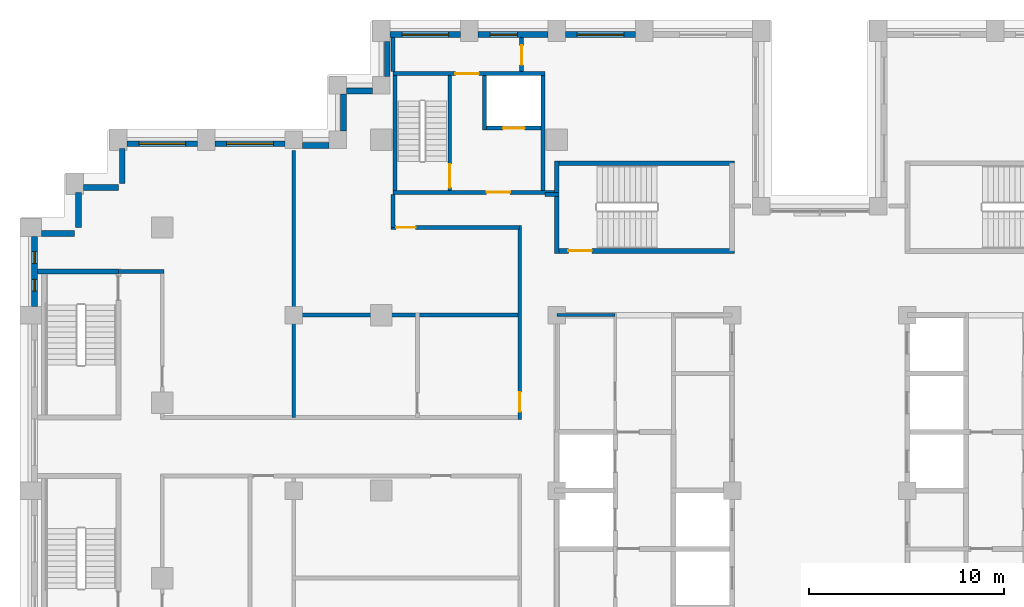
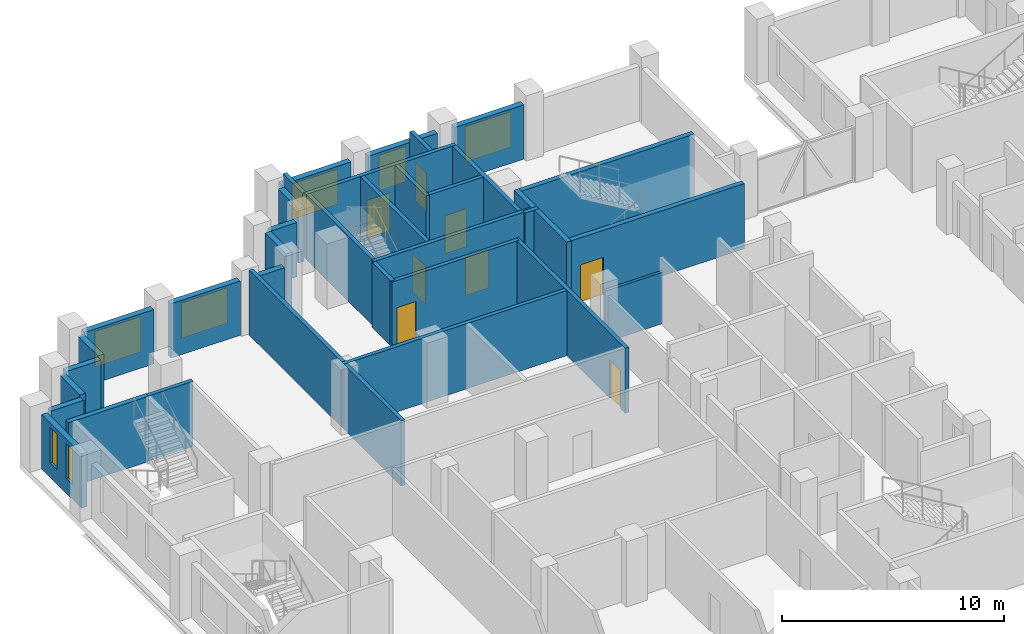
# One storey, part 10 of 16: 35 walls, 8 doors, 7 windows, 15 openings.
"""IFC4 building model written with IfcOpenShell, lengths in metres."""

from ifc_helpers import new_model, si_unit, direction, frame, frame_2d, origin, place, context, subcontext, project, spatial, rectangle, extrude, material, layer, layer_set, type_object, element, fill, save


model = new_model("IFC4")

# Units and contexts
model_context = context("Model", 3, precision=1e-05, world=origin(), true_north=direction((0.0, 1.0)))
body_context = subcontext(model_context, "Body", "Model", "MODEL_VIEW")
ifc_project = project(units=[si_unit("LENGTHUNIT", "METRE"), si_unit("AREAUNIT", "SQUARE_METRE"), si_unit("VOLUMEUNIT", "CUBIC_METRE"), si_unit("PLANEANGLEUNIT", "RADIAN"), si_unit("MASSUNIT", "GRAM", prefix="KILO")], contexts=[model_context])

# Site, building, storey
site_placement = place(None, origin())
site = spatial("IfcSite", under=ifc_project, at=site_placement, CompositionType="ELEMENT")
building_placement = place(site_placement, origin())
building = spatial("IfcBuilding", under=site, at=building_placement, Name="Corbelhall Arena Tower", CompositionType="ELEMENT")
storey_placement = place(building_placement, frame((0.0, 0.0, 174.0)))
storey = spatial("IfcBuildingStorey", under=building, at=storey_placement, Name="L35", CompositionType="ELEMENT", Elevation=174.0)

# Walls
ifc_material_1 = material(Name="Precast concrete C40/50 with granite facing", Category="masonry")
ifc_layer_1 = layer(ifc_material_1, 0.300048828125)
ifc_layer_set_1 = layer_set([ifc_layer_1], Name="EV-IW1 Infill panel 300")
wall_type_1 = type_object("IfcWallType", Name="EV-IW1 Infill panel 300", PredefinedType="SOLIDWALL", material=ifc_layer_set_1)
for number, where, z_axis, x_axis, name in (
    (1, (-35.800048828125, 17.550048828125, 0.0), (0.0, 0.0, 1.0), (0.0, -1.0, 0.0), "Infill panel IW1"),
    (2, (-37.800048828125, 15.550048828125, 0.0), (0.0, 0.0, 1.0), (1.0, 0.0, 0.0), "Infill panel IW1"),
    (3, (-38.050048828125, 15.300048828125, 0.0), (0.0, 0.0, 1.0), (0.0, -1.0, 0.0), "Infill panel IW1"),
):
    element("IfcWall", number, at=place(storey_placement, frame(where, z_axis=z_axis, x_axis=x_axis)), inside=storey, type_object=wall_type_1, Name=name, PredefinedType="SOLIDWALL", context=body_context, shape_type="SweptSolid", body=[
        extrude(rectangle(XDim=1.800048828125, YDim=0.300048828125, at=frame_2d((0.89990234375, 0.0))), origin(), (0.0, 0.0, 1.0), 2.989990234375),
    ])
wall_1_placement = place(storey_placement, frame((-39.949951171875, 13.199951171875, 0.0), z_axis=(0.0, 0.0, 1.0), x_axis=(1.0, 0.0, 0.0)))
element("IfcWall", 4, at=wall_1_placement, inside=storey, type_object=wall_type_1, Name="Infill panel IW1", PredefinedType="SOLIDWALL", context=body_context, shape_type="SweptSolid", body=[
    extrude(rectangle(XDim=1.699951171875, YDim=0.300048828125, at=frame_2d((0.85009765625, 0.0))), origin(), (0.0, 0.0, 1.0), 2.989990234375),
])
wall_2_placement = place(storey_placement, frame((-22.199951171875, 23.050048828125, 0.0), z_axis=(0.0, 0.0, 1.0), x_axis=(0.0, -1.0, 0.0)))
element("IfcWall", 5, at=wall_2_placement, inside=storey, type_object=wall_type_1, Name="Infill panel IW1", PredefinedType="SOLIDWALL", context=body_context, shape_type="SweptSolid", body=[
    extrude(rectangle(XDim=1.800048828125, YDim=0.300048828125, at=frame_2d((0.89990234375, 0.0))), origin(), (0.0, 0.0, 1.0), 2.989990234375),
])
wall_3_placement = place(storey_placement, frame((-22.949951171875, 20.5, 0.0), z_axis=(0.0, 0.0, 1.0), x_axis=(-1.0, 0.0, 0.0)))
element("IfcWall", 6, at=wall_3_placement, inside=storey, type_object=wall_type_1, Name="Infill panel IW1", PredefinedType="SOLIDWALL", context=body_context, shape_type="SweptSolid", body=[
    extrude(rectangle(XDim=1.35009765625, YDim=0.300048828125, at=frame_2d((0.675048828125, 0.0))), origin(), (0.0, 0.0, 1.0), 2.989990234375),
])
wall_4_placement = place(storey_placement, frame((-24.449951171875, 20.35009765625, 0.0), z_axis=(0.0, 0.0, 1.0), x_axis=(0.0, -1.0, 0.0)))
element("IfcWall", 7, at=wall_4_placement, inside=storey, type_object=wall_type_1, Name="Infill panel IW1", PredefinedType="SOLIDWALL", context=body_context, shape_type="SweptSolid", body=[
    extrude(rectangle(XDim=1.900146484375, YDim=0.300048828125, at=frame_2d((0.9501953125, 0.0))), origin(), (0.0, 0.0, 1.0), 2.989990234375),
])
wall_5_placement = place(storey_placement, frame((-25.199951171875, 17.699951171875, 0.0), z_axis=(0.0, 0.0, 1.0), x_axis=(-1.0, 0.0, 0.0)))
element("IfcWall", 8, at=wall_5_placement, inside=storey, type_object=wall_type_1, Name="Infill panel IW1", PredefinedType="SOLIDWALL", context=body_context, shape_type="SweptSolid", body=[
    extrude(rectangle(XDim=1.35009765625, YDim=0.300048828125, at=frame_2d((0.675048828125, 0.0))), origin(), (0.0, 0.0, 1.0), 2.989990234375),
])

# Wall, opening, window
wall_6_placement = place(storey_placement, frame((-27.449951171875, 17.800048828125, 0.0), z_axis=(0.0, 0.0, 1.0), x_axis=(-1.0, 0.0, 0.0)))
wall_6 = element("IfcWall", 9, at=wall_6_placement, inside=storey, type_object=wall_type_1, Name="Infill panel IW1", PredefinedType="SOLIDWALL", context=body_context, shape_type="SweptSolid", body=[
    extrude(rectangle(XDim=3.60009765625, YDim=0.300048828125, at=frame_2d((1.800048828125, 0.0))), origin(), (0.0, 0.0, 1.0), 2.989990234375),
])
opening_1_placement = place(wall_6_placement, frame((0.60009765625, 0.0, 0.800048828125)))
opening_1 = element("IfcOpeningElement", 10, at=opening_1_placement, cuts=wall_6, Name="Opening WN1", PredefinedType="OPENING", context=body_context, shape_type="SweptSolid", body=[
    extrude(rectangle(XDim=2.39990234375, YDim=1.949951171875, at=frame_2d((1.199951171875, 0.97509765625))), frame((0.0, 0.14990234375, 0.0), z_axis=(0.0, -1.0, 0.0), x_axis=(1.0, 0.0, 0.0)), (0.0, 0.0, 1.0), 0.300048828125),
])
ifc_material_2 = material(Name="Aluminium black anodised", Category="aluminium")
window_type_1 = type_object("IfcWindowType", Name="EV-WN1 Office window", PartitioningType="SINGLE_PANEL", PredefinedType="WINDOW", material=ifc_material_2)
window_1_placement = place(opening_1_placement, origin())
window_1 = element("IfcWindow", 11, at=window_1_placement, inside=storey, type_object=window_type_1, Name="Window WN1", OverallHeight=1.949951171875, OverallWidth=2.39990234375, PartitioningType="SINGLE_PANEL", PredefinedType="WINDOW", context=body_context, shape_type="SweptSolid", body=[
    extrude(rectangle(XDim=2.39990234375, YDim=1.949951171875, at=frame_2d((1.199951171875, 0.97509765625))), frame((0.0, 0.030029296875, 0.0), z_axis=(0.0, -1.0, 0.0), x_axis=(1.0, 0.0, 0.0)), (0.0, 0.0, 1.0), 0.06005859375),
])
fill(opening_1, window_1)

wall_7_placement = place(storey_placement, frame((-31.949951171875, 17.800048828125, 0.0), z_axis=(0.0, 0.0, 1.0), x_axis=(-1.0, 0.0, 0.0)))
wall_7 = element("IfcWall", 12, at=wall_7_placement, inside=storey, type_object=wall_type_1, Name="Infill panel IW1", PredefinedType="SOLIDWALL", context=body_context, shape_type="SweptSolid", body=[
    extrude(rectangle(XDim=3.60009765625, YDim=0.300048828125, at=frame_2d((1.800048828125, 0.0))), origin(), (0.0, 0.0, 1.0), 2.989990234375),
])
opening_2_placement = place(wall_7_placement, frame((0.60009765625, 0.0, 0.800048828125)))
opening_2 = element("IfcOpeningElement", 13, at=opening_2_placement, cuts=wall_7, Name="Opening WN1", PredefinedType="OPENING", context=body_context, shape_type="SweptSolid", body=[
    extrude(rectangle(XDim=2.39990234375, YDim=1.949951171875, at=frame_2d((1.199951171875, 0.97509765625))), frame((0.0, 0.14990234375, 0.0), z_axis=(0.0, -1.0, 0.0), x_axis=(1.0, 0.0, 0.0)), (0.0, 0.0, 1.0), 0.300048828125),
])
window_2_placement = place(opening_2_placement, origin())
window_2 = element("IfcWindow", 14, at=window_2_placement, inside=storey, type_object=window_type_1, Name="Window WN1", OverallHeight=1.949951171875, OverallWidth=2.39990234375, PartitioningType="SINGLE_PANEL", PredefinedType="WINDOW", context=body_context, shape_type="SweptSolid", body=[
    extrude(rectangle(XDim=2.39990234375, YDim=1.949951171875, at=frame_2d((1.199951171875, 0.97509765625))), frame((0.0, 0.030029296875, 0.0), z_axis=(0.0, -1.0, 0.0), x_axis=(1.0, 0.0, 0.0)), (0.0, 0.0, 1.0), 0.06005859375),
])
fill(opening_2, window_2)

# Wall, openings, windows
wall_8_placement = place(storey_placement, frame((-40.300048828125, 13.050048828125, 0.0), z_axis=(0.0, 0.0, 1.0), x_axis=(0.0, -1.0, 0.0)))
wall_8 = element("IfcWall", 15, at=wall_8_placement, inside=storey, type_object=wall_type_1, Name="Infill panel IW1", PredefinedType="SOLIDWALL", context=body_context, shape_type="SweptSolid", body=[
    extrude(rectangle(XDim=3.60009765625, YDim=0.300048828125, at=frame_2d((1.800048828125, 0.0))), origin(), (0.0, 0.0, 1.0), 2.989990234375),
])
opening_3_placement = place(wall_8_placement, frame((0.78759765625, 0.0, 0.800048828125)))
opening_3 = element("IfcOpeningElement", 16, at=opening_3_placement, cuts=wall_8, Name="Opening WN5", PredefinedType="OPENING", context=body_context, shape_type="SweptSolid", body=[
    extrude(rectangle(XDim=0.60009765625, YDim=1.949951171875, at=frame_2d((0.300048828125, 0.97509765625))), frame((0.0, 0.14990234375, 0.0), z_axis=(0.0, -1.0, 0.0), x_axis=(1.0, 0.0, 0.0)), (0.0, 0.0, 1.0), 0.300048828125),
])
opening_4_placement = place(wall_8_placement, frame((2.21240234375, 0.0, 0.800048828125)))
opening_4 = element("IfcOpeningElement", 17, at=opening_4_placement, cuts=wall_8, Name="Opening WN5", PredefinedType="OPENING", context=body_context, shape_type="SweptSolid", body=[
    extrude(rectangle(XDim=0.60009765625, YDim=1.949951171875, at=frame_2d((0.300048828125, 0.97509765625))), frame((0.0, 0.14990234375, 0.0), z_axis=(0.0, -1.0, 0.0), x_axis=(1.0, 0.0, 0.0)), (0.0, 0.0, 1.0), 0.300048828125),
])
window_type_2 = type_object("IfcWindowType", Name="EV-WN5 Office window 600", PartitioningType="SINGLE_PANEL", PredefinedType="WINDOW", material=ifc_material_2)
window_3_placement = place(opening_3_placement, origin())
window_3 = element("IfcWindow", 18, at=window_3_placement, inside=storey, type_object=window_type_2, Name="Window WN5", OverallHeight=1.949951171875, OverallWidth=0.60009765625, PartitioningType="SINGLE_PANEL", PredefinedType="WINDOW", context=body_context, shape_type="SweptSolid", body=[
    extrude(rectangle(XDim=0.60009765625, YDim=1.949951171875, at=frame_2d((0.300048828125, 0.97509765625))), frame((0.0, 0.030029296875, 0.0), z_axis=(0.0, -1.0, 0.0), x_axis=(1.0, 0.0, 0.0)), (0.0, 0.0, 1.0), 0.06005859375),
])
fill(opening_3, window_3)
window_4_placement = place(opening_4_placement, origin())
window_4 = element("IfcWindow", 19, at=window_4_placement, inside=storey, type_object=window_type_2, Name="Window WN5", OverallHeight=1.949951171875, OverallWidth=0.60009765625, PartitioningType="SINGLE_PANEL", PredefinedType="WINDOW", context=body_context, shape_type="SweptSolid", body=[
    extrude(rectangle(XDim=0.60009765625, YDim=1.949951171875, at=frame_2d((0.300048828125, 0.97509765625))), frame((0.0, 0.030029296875, 0.0), z_axis=(0.0, -1.0, 0.0), x_axis=(1.0, 0.0, 0.0)), (0.0, 0.0, 1.0), 0.06005859375),
])
fill(opening_4, window_4)

# Wall, opening, window
wall_9_placement = place(storey_placement, frame((-9.449951171875, 23.39990234375, 0.0), z_axis=(0.0, 0.0, 1.0), x_axis=(-1.0, 0.0, 0.0)))
wall_9 = element("IfcWall", 20, at=wall_9_placement, inside=storey, type_object=wall_type_1, Name="Infill panel IW1", PredefinedType="SOLIDWALL", context=body_context, shape_type="SweptSolid", body=[
    extrude(rectangle(XDim=3.60009765625, YDim=0.300048828125, at=frame_2d((1.800048828125, 0.0))), origin(), (0.0, 0.0, 1.0), 2.989990234375),
])
opening_5_placement = place(wall_9_placement, frame((0.60009765625, 0.0, 0.800048828125)))
opening_5 = element("IfcOpeningElement", 21, at=opening_5_placement, cuts=wall_9, Name="Opening WN1", PredefinedType="OPENING", context=body_context, shape_type="SweptSolid", body=[
    extrude(rectangle(XDim=2.39990234375, YDim=1.949951171875, at=frame_2d((1.199951171875, 0.97509765625))), frame((0.0, 0.14990234375, 0.0), z_axis=(0.0, -1.0, 0.0), x_axis=(1.0, 0.0, 0.0)), (0.0, 0.0, 1.0), 0.300048828125),
])
window_5_placement = place(opening_5_placement, origin())
window_5 = element("IfcWindow", 22, at=window_5_placement, inside=storey, type_object=window_type_1, Name="Window WN1", OverallHeight=1.949951171875, OverallWidth=2.39990234375, PartitioningType="SINGLE_PANEL", PredefinedType="WINDOW", context=body_context, shape_type="SweptSolid", body=[
    extrude(rectangle(XDim=2.39990234375, YDim=1.949951171875, at=frame_2d((1.199951171875, 0.97509765625))), frame((0.0, 0.030029296875, 0.0), z_axis=(0.0, -1.0, 0.0), x_axis=(1.0, 0.0, 0.0)), (0.0, 0.0, 1.0), 0.06005859375),
])
fill(opening_5, window_5)

wall_10_placement = place(storey_placement, frame((-13.949951171875, 23.39990234375, 0.0), z_axis=(0.0, 0.0, 1.0), x_axis=(-1.0, 0.0, 0.0)))
wall_10 = element("IfcWall", 23, at=wall_10_placement, inside=storey, type_object=wall_type_1, Name="Infill panel IW1", PredefinedType="SOLIDWALL", context=body_context, shape_type="SweptSolid", body=[
    extrude(rectangle(XDim=3.60009765625, YDim=0.300048828125, at=frame_2d((1.800048828125, 0.0))), origin(), (0.0, 0.0, 1.0), 2.989990234375),
])
opening_6_placement = place(wall_10_placement, frame((1.574951171875, 0.0, 0.800048828125)))
opening_6 = element("IfcOpeningElement", 24, at=opening_6_placement, cuts=wall_10, Name="Opening WN7", PredefinedType="OPENING", context=body_context, shape_type="SweptSolid", body=[
    extrude(rectangle(XDim=1.39990234375, YDim=1.949951171875, at=frame_2d((0.699951171875, 0.97509765625))), frame((0.0, 0.14990234375, 0.0), z_axis=(0.0, -1.0, 0.0), x_axis=(1.0, 0.0, 0.0)), (0.0, 0.0, 1.0), 0.300048828125),
])
window_type_3 = type_object("IfcWindowType", Name="EV-WN7 Office window 1400", PartitioningType="SINGLE_PANEL", PredefinedType="WINDOW", material=ifc_material_2)
window_6_placement = place(opening_6_placement, origin())
window_6 = element("IfcWindow", 25, at=window_6_placement, inside=storey, type_object=window_type_3, Name="Window WN7", OverallHeight=1.949951171875, OverallWidth=1.39990234375, PartitioningType="SINGLE_PANEL", PredefinedType="WINDOW", context=body_context, shape_type="SweptSolid", body=[
    extrude(rectangle(XDim=1.39990234375, YDim=1.949951171875, at=frame_2d((0.699951171875, 0.97509765625))), frame((0.0, 0.030029296875, 0.0), z_axis=(0.0, -1.0, 0.0), x_axis=(1.0, 0.0, 0.0)), (0.0, 0.0, 1.0), 0.06005859375),
])
fill(opening_6, window_6)

wall_11_placement = place(storey_placement, frame((-18.449951171875, 23.39990234375, 0.0), z_axis=(0.0, 0.0, 1.0), x_axis=(-1.0, 0.0, 0.0)))
wall_11 = element("IfcWall", 26, at=wall_11_placement, inside=storey, type_object=wall_type_1, Name="Infill panel IW1", PredefinedType="SOLIDWALL", context=body_context, shape_type="SweptSolid", body=[
    extrude(rectangle(XDim=3.60009765625, YDim=0.300048828125, at=frame_2d((1.800048828125, 0.0))), origin(), (0.0, 0.0, 1.0), 2.989990234375),
])
opening_7_placement = place(wall_11_placement, frame((0.60009765625, 0.0, 0.800048828125)))
opening_7 = element("IfcOpeningElement", 27, at=opening_7_placement, cuts=wall_11, Name="Opening WN1", PredefinedType="OPENING", context=body_context, shape_type="SweptSolid", body=[
    extrude(rectangle(XDim=2.39990234375, YDim=1.949951171875, at=frame_2d((1.199951171875, 0.97509765625))), frame((0.0, 0.14990234375, 0.0), z_axis=(0.0, -1.0, 0.0), x_axis=(1.0, 0.0, 0.0)), (0.0, 0.0, 1.0), 0.300048828125),
])
window_7_placement = place(opening_7_placement, origin())
window_7 = element("IfcWindow", 28, at=window_7_placement, inside=storey, type_object=window_type_1, Name="Window WN1", OverallHeight=1.949951171875, OverallWidth=2.39990234375, PartitioningType="SINGLE_PANEL", PredefinedType="WINDOW", context=body_context, shape_type="SweptSolid", body=[
    extrude(rectangle(XDim=2.39990234375, YDim=1.949951171875, at=frame_2d((1.199951171875, 0.97509765625))), frame((0.0, 0.030029296875, 0.0), z_axis=(0.0, -1.0, 0.0), x_axis=(1.0, 0.0, 0.0)), (0.0, 0.0, 1.0), 0.06005859375),
])
fill(opening_7, window_7)

# Walls
ifc_material_3 = material(Name="Gypsum board on steel stud, acoustic", Category="steel")
ifc_layer_2 = layer(ifc_material_3, 0.199951171875)
ifc_layer_set_2 = layer_set([ifc_layer_2], Name="IN-W-DM200")
wall_type_2 = type_object("IfcWallType", Name="IN-W-DM200", PredefinedType="PARTITIONING", material=ifc_layer_set_2)
wall_12_placement = place(storey_placement, frame((-36.0, 11.25, 0.0), z_axis=(0.0, 0.0, 1.0), x_axis=(1.0, 0.0, 0.0)))
element("IfcWall", 29, at=wall_12_placement, inside=storey, type_object=wall_type_2, Name="Partition 001", PredefinedType="PARTITIONING", context=body_context, shape_type="SweptSolid", body=[
    extrude(rectangle(XDim=2.35009765625, YDim=0.199951171875, at=frame_2d((1.175048828125, 0.0))), origin(), (0.0, 0.0, 1.0), 3.590087890625),
])
wall_13_placement = place(storey_placement, frame((-27.10009765625, 9.0, 0.0), z_axis=(0.0, 0.0, 1.0), x_axis=(1.0, 0.0, 0.0)))
element("IfcWall", 30, at=wall_13_placement, inside=storey, type_object=wall_type_2, Name="Partition 010", PredefinedType="PARTITIONING", context=body_context, shape_type="SweptSolid", body=[
    extrude(rectangle(XDim=11.7001953125, YDim=0.199951171875, at=frame_2d((5.85009765625, 0.0))), origin(), (0.0, 0.0, 1.0), 3.590087890625),
])
wall_14_placement = place(storey_placement, frame((-27.0, 3.75, 0.0), z_axis=(0.0, 0.0, 1.0), x_axis=(0.0, 1.0, 0.0)))
element("IfcWall", 31, at=wall_14_placement, inside=storey, type_object=wall_type_2, Name="Partition 012", PredefinedType="PARTITIONING", context=body_context, shape_type="SweptSolid", body=[
    extrude(rectangle(XDim=13.699951171875, YDim=0.199951171875, at=frame_2d((6.85009765625, 0.0))), origin(), (0.0, 0.0, 1.0), 3.590087890625),
])
wall_15_placement = place(storey_placement, frame((-21.89990234375, 13.5, 0.0), z_axis=(0.0, 0.0, 1.0), x_axis=(0.0, 1.0, 0.0)))
element("IfcWall", 32, at=wall_15_placement, inside=storey, type_object=wall_type_2, Name="Partition 014", PredefinedType="PARTITIONING", context=body_context, shape_type="SweptSolid", body=[
    extrude(rectangle(XDim=1.699951171875, YDim=0.199951171875, at=frame_2d((0.85009765625, 0.0))), origin(), (0.0, 0.0, 1.0), 3.590087890625),
])
wall_16_placement = place(storey_placement, frame((-21.89990234375, 21.5, 0.0), z_axis=(0.0, 0.0, 1.0), x_axis=(0.0, 1.0, 0.0)))
element("IfcWall", 33, at=wall_16_placement, inside=storey, type_object=wall_type_2, Name="Partition 015", PredefinedType="PARTITIONING", context=body_context, shape_type="SweptSolid", body=[
    extrude(rectangle(XDim=1.75, YDim=0.199951171875, at=frame_2d((0.875, 0.0))), origin(), (0.0, 0.0, 1.0), 3.590087890625),
])

# Wall, opening, door
wall_17_placement = place(storey_placement, frame((-15.39990234375, 3.64990234375, 0.0), z_axis=(0.0, 0.0, 1.0), x_axis=(0.0, 1.0, 0.0)))
wall_17 = element("IfcWall", 34, at=wall_17_placement, inside=storey, type_object=wall_type_2, Name="Partition 019", PredefinedType="PARTITIONING", context=body_context, shape_type="SweptSolid", body=[
    extrude(rectangle(XDim=9.9501953125, YDim=0.199951171875, at=frame_2d((4.97509765625, 0.0))), origin(), (0.0, 0.0, 1.0), 3.590087890625),
])
opening_8_placement = place(wall_17_placement, frame((0.39990234375, 0.0, 0.0)))
opening_8 = element("IfcOpeningElement", 35, at=opening_8_placement, cuts=wall_17, Name="Opening 10026", PredefinedType="OPENING", context=body_context, shape_type="SweptSolid", body=[
    extrude(rectangle(XDim=1.0, YDim=2.10009765625, at=frame_2d((0.5, 1.050048828125))), frame((0.0, 0.10009765625, 0.0), z_axis=(0.0, -1.0, 0.0), x_axis=(1.0, 0.0, 0.0)), (0.0, 0.0, 1.0), 0.199951171875),
])
ifc_material_4 = material(Name="Steel door set", Category="steel")
door_type_1 = type_object("IfcDoorType", Name="IN-D-SW100", OperationType="NOTDEFINED", PredefinedType="DOOR", material=ifc_material_4)
door_1_placement = place(opening_8_placement, origin())
door_1 = element("IfcDoor", 36, at=door_1_placement, inside=storey, type_object=door_type_1, Name="Door 026", OperationType="SINGLE_SWING_LEFT", OverallHeight=2.10009765625, OverallWidth=1.0, PredefinedType="DOOR", context=body_context, shape_type="SweptSolid", body=[
    extrude(rectangle(XDim=1.0, YDim=2.10009765625, at=frame_2d((0.5, 1.050048828125))), frame((0.0, 0.02490234375, 0.0), z_axis=(0.0, -1.0, 0.0), x_axis=(1.0, 0.0, 0.0)), (0.0, 0.0, 1.0), 0.050048828125),
])
fill(opening_8, door_1)

wall_18_placement = place(storey_placement, frame((-15.39990234375, 13.5, 0.0), z_axis=(0.0, 0.0, 1.0), x_axis=(-1.0, 0.0, 0.0)))
wall_18 = element("IfcWall", 37, at=wall_18_placement, inside=storey, type_object=wall_type_2, Name="Partition 020", PredefinedType="PARTITIONING", context=body_context, shape_type="SweptSolid", body=[
    extrude(rectangle(XDim=6.60009765625, YDim=0.199951171875, at=frame_2d((3.300048828125, 0.0))), origin(), (0.0, 0.0, 1.0), 3.590087890625),
])
opening_9_placement = place(wall_18_placement, frame((5.35009765625, 0.0, 0.0)))
opening_9 = element("IfcOpeningElement", 38, at=opening_9_placement, cuts=wall_18, Name="Opening 10028", PredefinedType="OPENING", context=body_context, shape_type="SweptSolid", body=[
    extrude(rectangle(XDim=1.0, YDim=2.10009765625, at=frame_2d((0.5, 1.050048828125))), frame((0.0, 0.10009765625, 0.0), z_axis=(0.0, -1.0, 0.0), x_axis=(1.0, 0.0, 0.0)), (0.0, 0.0, 1.0), 0.199951171875),
])
door_2_placement = place(opening_9_placement, origin())
door_2 = element("IfcDoor", 39, at=door_2_placement, inside=storey, type_object=door_type_1, Name="Door 028", OperationType="SINGLE_SWING_LEFT", OverallHeight=2.10009765625, OverallWidth=1.0, PredefinedType="DOOR", context=body_context, shape_type="SweptSolid", body=[
    extrude(rectangle(XDim=1.0, YDim=2.10009765625, at=frame_2d((0.5, 1.050048828125))), frame((0.0, 0.02490234375, 0.0), z_axis=(0.0, -1.0, 0.0), x_axis=(1.0, 0.0, 0.0)), (0.0, 0.0, 1.0), 0.050048828125),
])
fill(opening_9, door_2)

wall_19_placement = place(storey_placement, frame((-15.300048828125, 23.25, 0.0), z_axis=(0.0, 0.0, 1.0), x_axis=(0.0, -1.0, 0.0)))
wall_19 = element("IfcWall", 40, at=wall_19_placement, inside=storey, type_object=wall_type_2, Name="Partition 021", PredefinedType="PARTITIONING", context=body_context, shape_type="SweptSolid", body=[
    extrude(rectangle(XDim=1.75, YDim=0.199951171875, at=frame_2d((0.875, 0.0))), origin(), (0.0, 0.0, 1.0), 3.590087890625),
])
opening_10_placement = place(wall_19_placement, frame((0.39990234375, 0.0, 0.0)))
opening_10 = element("IfcOpeningElement", 41, at=opening_10_placement, cuts=wall_19, Name="Opening 10022", PredefinedType="OPENING", context=body_context, shape_type="SweptSolid", body=[
    extrude(rectangle(XDim=1.0, YDim=2.10009765625, at=frame_2d((0.5, 1.050048828125))), frame((0.0, 0.10009765625, 0.0), z_axis=(0.0, -1.0, 0.0), x_axis=(1.0, 0.0, 0.0)), (0.0, 0.0, 1.0), 0.199951171875),
])
door_3_placement = place(opening_10_placement, origin())
door_3 = element("IfcDoor", 42, at=door_3_placement, inside=storey, type_object=door_type_1, Name="Door 022", OperationType="SINGLE_SWING_LEFT", OverallHeight=2.10009765625, OverallWidth=1.0, PredefinedType="DOOR", context=body_context, shape_type="SweptSolid", body=[
    extrude(rectangle(XDim=1.0, YDim=2.10009765625, at=frame_2d((0.5, 1.050048828125))), frame((0.0, 0.02490234375, 0.0), z_axis=(0.0, -1.0, 0.0), x_axis=(1.0, 0.0, 0.0)), (0.0, 0.0, 1.0), 0.050048828125),
])
fill(opening_10, door_3)

# Wall
wall_20_placement = place(storey_placement, frame((-14.10009765625, 15.199951171875, 0.0), z_axis=(0.0, 0.0, 1.0), x_axis=(1.0, 0.0, 0.0)))
element("IfcWall", 43, at=wall_20_placement, inside=storey, type_object=wall_type_2, Name="Partition 022", PredefinedType="PARTITIONING", context=body_context, shape_type="SweptSolid", body=[
    extrude(rectangle(XDim=0.72509765625, YDim=0.199951171875, at=frame_2d((0.362548828125, 0.0))), origin(), (0.0, 0.0, 1.0), 3.590087890625),
])

# Wall, opening, door
ifc_material_5 = material(Name="Concrete C40/50", Category="concrete")
ifc_layer_3 = layer(ifc_material_5, 0.199951171875)
ifc_layer_set_3 = layer_set([ifc_layer_3], Name="IN-W-EAR200")
wall_type_3 = type_object("IfcWallType", Name="IN-W-EAR200", PredefinedType="SOLIDWALL", material=ifc_layer_set_3)
wall_21_placement = place(storey_placement, frame((-21.89990234375, 15.300048828125, 0.0), z_axis=(0.0, 0.0, 1.0), x_axis=(1.0, 0.0, 0.0)))
wall_21 = element("IfcWall", 44, at=wall_21_placement, inside=storey, type_object=wall_type_3, Name="Fire service turret wall south", PredefinedType="SOLIDWALL", context=body_context, shape_type="SweptSolid", body=[
    extrude(rectangle(XDim=8.27490234375, YDim=0.199951171875, at=frame_2d((4.137451171875, 0.0))), origin(), (0.0, 0.0, 1.0), 3.590087890625),
])
opening_11_placement = place(wall_21_placement, frame((4.800048828125, 0.0, 0.0)))
opening_11 = element("IfcOpeningElement", 45, at=opening_11_placement, cuts=wall_21, Name="Opening E102", PredefinedType="OPENING", context=body_context, shape_type="SweptSolid", body=[
    extrude(rectangle(XDim=1.199951171875, YDim=2.10009765625, at=frame_2d((0.60009765625, 1.050048828125))), frame((0.0, 0.10009765625, 0.0), z_axis=(0.0, -1.0, 0.0), x_axis=(1.0, 0.0, 0.0)), (0.0, 0.0, 1.0), 0.199951171875),
])
door_type_2 = type_object("IfcDoorType", Name="IN-D-ST120", OperationType="NOTDEFINED", PredefinedType="DOOR", material=ifc_material_4)
door_4_placement = place(opening_11_placement, origin())
door_4 = element("IfcDoor", 46, at=door_4_placement, inside=storey, type_object=door_type_2, Name="Door from fire service lift lobby to circulation", OperationType="SINGLE_SWING_RIGHT", OverallHeight=2.10009765625, OverallWidth=1.199951171875, PredefinedType="DOOR", context=body_context, shape_type="SweptSolid", body=[
    extrude(rectangle(XDim=1.199951171875, YDim=2.10009765625, at=frame_2d((0.60009765625, 1.050048828125))), frame((0.0, 0.02490234375, 0.0), z_axis=(0.0, -1.0, 0.0), x_axis=(1.0, 0.0, 0.0)), (0.0, 0.0, 1.0), 0.050048828125),
])
fill(opening_11, door_4)

wall_22_placement = place(storey_placement, frame((-21.89990234375, 21.39990234375, 0.0), z_axis=(0.0, 0.0, 1.0), x_axis=(1.0, 0.0, 0.0)))
wall_22 = element("IfcWall", 47, at=wall_22_placement, inside=storey, type_object=wall_type_3, Name="Fire service turret wall north", PredefinedType="SOLIDWALL", context=body_context, shape_type="SweptSolid", body=[
    extrude(rectangle(XDim=7.7998046875, YDim=0.199951171875, at=frame_2d((3.89990234375, 0.0))), origin(), (0.0, 0.0, 1.0), 3.590087890625),
])
opening_12_placement = place(wall_22_placement, frame((3.199951171875, 0.0, 0.0)))
opening_12 = element("IfcOpeningElement", 48, at=opening_12_placement, cuts=wall_22, Name="Opening E103", PredefinedType="OPENING", context=body_context, shape_type="SweptSolid", body=[
    extrude(rectangle(XDim=1.199951171875, YDim=2.10009765625, at=frame_2d((0.60009765625, 1.050048828125))), frame((0.0, 0.10009765625, 0.0), z_axis=(0.0, -1.0, 0.0), x_axis=(1.0, 0.0, 0.0)), (0.0, 0.0, 1.0), 0.199951171875),
])
door_5_placement = place(opening_12_placement, origin())
door_5 = element("IfcDoor", 49, at=door_5_placement, inside=storey, type_object=door_type_2, Name="Door from fire service lift lobby to the north gallery", OperationType="SINGLE_SWING_LEFT", OverallHeight=2.10009765625, OverallWidth=1.199951171875, PredefinedType="DOOR", context=body_context, shape_type="SweptSolid", body=[
    extrude(rectangle(XDim=1.199951171875, YDim=2.10009765625, at=frame_2d((0.60009765625, 1.050048828125))), frame((0.0, 0.02490234375, 0.0), z_axis=(0.0, -1.0, 0.0), x_axis=(1.0, 0.0, 0.0)), (0.0, 0.0, 1.0), 0.050048828125),
])
fill(opening_12, door_5)

# Walls
for number, where, z_axis, x_axis, name in (
    (50, (-21.800048828125, 15.39990234375, 0.0), (0.0, 0.0, 1.0), (0.0, 1.0, 0.0), "Fire service turret wall west"),
    (51, (-14.199951171875, 15.39990234375, 0.0), (0.0, 0.0, 1.0), (0.0, 1.0, 0.0), "Fire service turret wall east"),
):
    element("IfcWall", number, at=place(storey_placement, frame(where, z_axis=z_axis, x_axis=x_axis)), inside=storey, type_object=wall_type_3, Name=name, PredefinedType="SOLIDWALL", context=body_context, shape_type="SweptSolid", body=[
        extrude(rectangle(XDim=5.900146484375, YDim=0.199951171875, at=frame_2d((2.9501953125, 0.0))), origin(), (0.0, 0.0, 1.0), 3.590087890625),
    ])

# Wall, opening, door
wall_23_placement = place(storey_placement, frame((-18.989990234375, 15.39990234375, 0.0), z_axis=(0.0, 0.0, 1.0), x_axis=(0.0, 1.0, 0.0)))
wall_23 = element("IfcWall", 52, at=wall_23_placement, inside=storey, type_object=wall_type_3, Name="Fire service turret wall stair", PredefinedType="SOLIDWALL", context=body_context, shape_type="SweptSolid", body=[
    extrude(rectangle(XDim=5.900146484375, YDim=0.199951171875, at=frame_2d((2.9501953125, 0.0))), origin(), (0.0, 0.0, 1.0), 3.590087890625),
])
opening_13_placement = place(wall_23_placement, frame((0.14990234375, 0.0, 0.0)))
opening_13 = element("IfcOpeningElement", 53, at=opening_13_placement, cuts=wall_23, Name="Opening E101", PredefinedType="OPENING", context=body_context, shape_type="SweptSolid", body=[
    extrude(rectangle(XDim=1.199951171875, YDim=2.10009765625, at=frame_2d((0.60009765625, 1.050048828125))), frame((0.0, 0.10009765625, 0.0), z_axis=(0.0, -1.0, 0.0), x_axis=(1.0, 0.0, 0.0)), (0.0, 0.0, 1.0), 0.199951171875),
])
door_6_placement = place(opening_13_placement, origin())
door_6 = element("IfcDoor", 54, at=door_6_placement, inside=storey, type_object=door_type_2, Name="Stair door to fire service lobby", OperationType="SINGLE_SWING_LEFT", OverallHeight=2.10009765625, OverallWidth=1.199951171875, PredefinedType="DOOR", context=body_context, shape_type="SweptSolid", body=[
    extrude(rectangle(XDim=1.199951171875, YDim=2.10009765625, at=frame_2d((0.60009765625, 1.050048828125))), frame((0.0, 0.02490234375, 0.0), z_axis=(0.0, -1.0, 0.0), x_axis=(1.0, 0.0, 0.0)), (0.0, 0.0, 1.0), 0.050048828125),
])
fill(opening_13, door_6)

# Wall
wall_24_placement = place(storey_placement, frame((-17.199951171875, 18.5, 0.0), z_axis=(0.0, 0.0, 1.0), x_axis=(0.0, 1.0, 0.0)))
element("IfcWall", 55, at=wall_24_placement, inside=storey, type_object=wall_type_3, Name="Fire service turret wall hoistway west", PredefinedType="SOLIDWALL", context=body_context, shape_type="SweptSolid", body=[
    extrude(rectangle(XDim=2.800048828125, YDim=0.199951171875, at=frame_2d((1.39990234375, 0.0))), origin(), (0.0, 0.0, 1.0), 3.590087890625),
])

# Wall, opening, door
wall_25_placement = place(storey_placement, frame((-17.10009765625, 18.60009765625, 0.0), z_axis=(0.0, 0.0, 1.0), x_axis=(1.0, 0.0, 0.0)))
wall_25 = element("IfcWall", 56, at=wall_25_placement, inside=storey, type_object=wall_type_3, Name="Fire service turret wall hoistway south", PredefinedType="SOLIDWALL", context=body_context, shape_type="SweptSolid", body=[
    extrude(rectangle(XDim=2.800048828125, YDim=0.199951171875, at=frame_2d((1.39990234375, 0.0))), origin(), (0.0, 0.0, 1.0), 3.590087890625),
])
opening_14_placement = place(wall_25_placement, frame((0.85009765625, 0.0, 0.0)))
opening_14 = element("IfcOpeningElement", 57, at=opening_14_placement, cuts=wall_25, Name="Opening LD", PredefinedType="OPENING", context=body_context, shape_type="SweptSolid", body=[
    extrude(rectangle(XDim=1.10009765625, YDim=2.10009765625, at=frame_2d((0.550048828125, 1.050048828125))), frame((0.0, 0.10009765625, 0.0), z_axis=(0.0, -1.0, 0.0), x_axis=(1.0, 0.0, 0.0)), (0.0, 0.0, 1.0), 0.199951171875),
])
door_type_3 = type_object("IfcDoorType", Name="IN-D-LD110", OperationType="NOTDEFINED", PredefinedType="DOOR", material=ifc_material_4)
door_7_placement = place(opening_14_placement, origin())
door_7 = element("IfcDoor", 58, at=door_7_placement, inside=storey, type_object=door_type_3, Name="Landing door FS1", OperationType="SLIDING_TO_LEFT", OverallHeight=2.10009765625, OverallWidth=1.10009765625, PredefinedType="DOOR", context=body_context, shape_type="SweptSolid", body=[
    extrude(rectangle(XDim=1.10009765625, YDim=2.10009765625, at=frame_2d((0.550048828125, 1.050048828125))), frame((0.0, 0.02490234375, 0.0), z_axis=(0.0, -1.0, 0.0), x_axis=(1.0, 0.0, 0.0)), (0.0, 0.0, 1.0), 0.050048828125),
])
fill(opening_14, door_7)

# Wall
ifc_layer_4 = layer(ifc_material_5, 0.25)
ifc_layer_set_4 = layer_set([ifc_layer_4], Name="IN-W-ST250")
wall_type_4 = type_object("IfcWallType", Name="IN-W-ST250", PredefinedType="SOLIDWALL", material=ifc_layer_set_4)
wall_26_placement = place(storey_placement, frame((-40.14990234375, 11.25, 0.0), z_axis=(0.0, 0.0, 1.0), x_axis=(1.0, 0.0, 0.0)))
element("IfcWall", 59, at=wall_26_placement, inside=storey, type_object=wall_type_4, Name="Shaft wall 083", PredefinedType="SOLIDWALL", context=body_context, shape_type="SweptSolid", body=[
    extrude(rectangle(XDim=4.14990234375, YDim=0.25, at=frame_2d((2.074951171875, 0.0))), origin(), (0.0, 0.0, 1.0), 3.590087890625),
])

# Wall, opening, door
wall_27_placement = place(storey_placement, frame((-13.5, 12.300048828125, 0.0), z_axis=(0.0, 0.0, 1.0), x_axis=(1.0, 0.0, 0.0)))
wall_27 = element("IfcWall", 60, at=wall_27_placement, inside=storey, type_object=wall_type_4, Name="Shaft wall 089", PredefinedType="SOLIDWALL", context=body_context, shape_type="SweptSolid", body=[
    extrude(rectangle(XDim=9.125, YDim=0.25, at=frame_2d((4.5625, 0.0))), origin(), (0.0, 0.0, 1.0), 3.590087890625),
])
opening_15_placement = place(wall_27_placement, frame((0.60009765625, 0.0, 0.0)))
opening_15 = element("IfcOpeningElement", 61, at=opening_15_placement, cuts=wall_27, Name="Opening 10014", PredefinedType="OPENING", context=body_context, shape_type="SweptSolid", body=[
    extrude(rectangle(XDim=1.199951171875, YDim=2.10009765625, at=frame_2d((0.60009765625, 1.050048828125))), frame((0.0, 0.125, 0.0), z_axis=(0.0, -1.0, 0.0), x_axis=(1.0, 0.0, 0.0)), (0.0, 0.0, 1.0), 0.25),
])
door_8_placement = place(opening_15_placement, origin())
door_8 = element("IfcDoor", 62, at=door_8_placement, inside=storey, type_object=door_type_2, Name="Door 014", OperationType="SINGLE_SWING_LEFT", OverallHeight=2.10009765625, OverallWidth=1.199951171875, PredefinedType="DOOR", context=body_context, shape_type="SweptSolid", body=[
    extrude(rectangle(XDim=1.199951171875, YDim=2.10009765625, at=frame_2d((0.60009765625, 1.050048828125))), frame((0.0, 0.02490234375, 0.0), z_axis=(0.0, -1.0, 0.0), x_axis=(1.0, 0.0, 0.0)), (0.0, 0.0, 1.0), 0.050048828125),
])
fill(opening_15, door_8)

# Walls
wall_28_placement = place(storey_placement, frame((-13.5, 12.175048828125, 0.0), z_axis=(0.0, 0.0, 1.0), x_axis=(0.0, 1.0, 0.0)))
element("IfcWall", 63, at=wall_28_placement, inside=storey, type_object=wall_type_4, Name="Shaft wall 090", PredefinedType="SOLIDWALL", context=body_context, shape_type="SweptSolid", body=[
    extrude(rectangle(XDim=4.75, YDim=0.25, at=frame_2d((2.375, 0.0))), origin(), (0.0, 0.0, 1.0), 3.590087890625),
])
wall_29_placement = place(storey_placement, frame((-13.5, 16.800048828125, 0.0), z_axis=(0.0, 0.0, 1.0), x_axis=(1.0, 0.0, 0.0)))
element("IfcWall", 64, at=wall_29_placement, inside=storey, type_object=wall_type_4, Name="Shaft wall 091", PredefinedType="SOLIDWALL", context=body_context, shape_type="SweptSolid", body=[
    extrude(rectangle(XDim=9.125, YDim=0.25, at=frame_2d((4.5625, 0.0))), origin(), (0.0, 0.0, 1.0), 3.590087890625),
])
ifc_material_6 = material(Name="Gypsum board on steel stud, moisture resistant", Category="steel")
ifc_layer_5 = layer(ifc_material_6, 0.14990234375)
ifc_layer_set_5 = layer_set([ifc_layer_5], Name="IN-W-WC150 under beam 762 mm")
wall_type_5 = type_object("IfcWallType", Name="IN-W-WC150 under beam 762 mm", PredefinedType="PARTITIONING", material=ifc_layer_set_5)
wall_30_placement = place(storey_placement, frame((-13.5, 9.0, 0.0), z_axis=(0.0, 0.0, 1.0), x_axis=(1.0, 0.0, 0.0)))
element("IfcWall", 65, at=wall_30_placement, inside=storey, type_object=wall_type_5, Name="Partition 113", PredefinedType="PARTITIONING", context=body_context, shape_type="SweptSolid", body=[
    extrude(rectangle(XDim=3.0, YDim=0.14990234375, at=frame_2d((1.5, 0.0))), origin(), (0.0, 0.0, 1.0), 2.827880859375),
])

save(model, "model.ifc")
